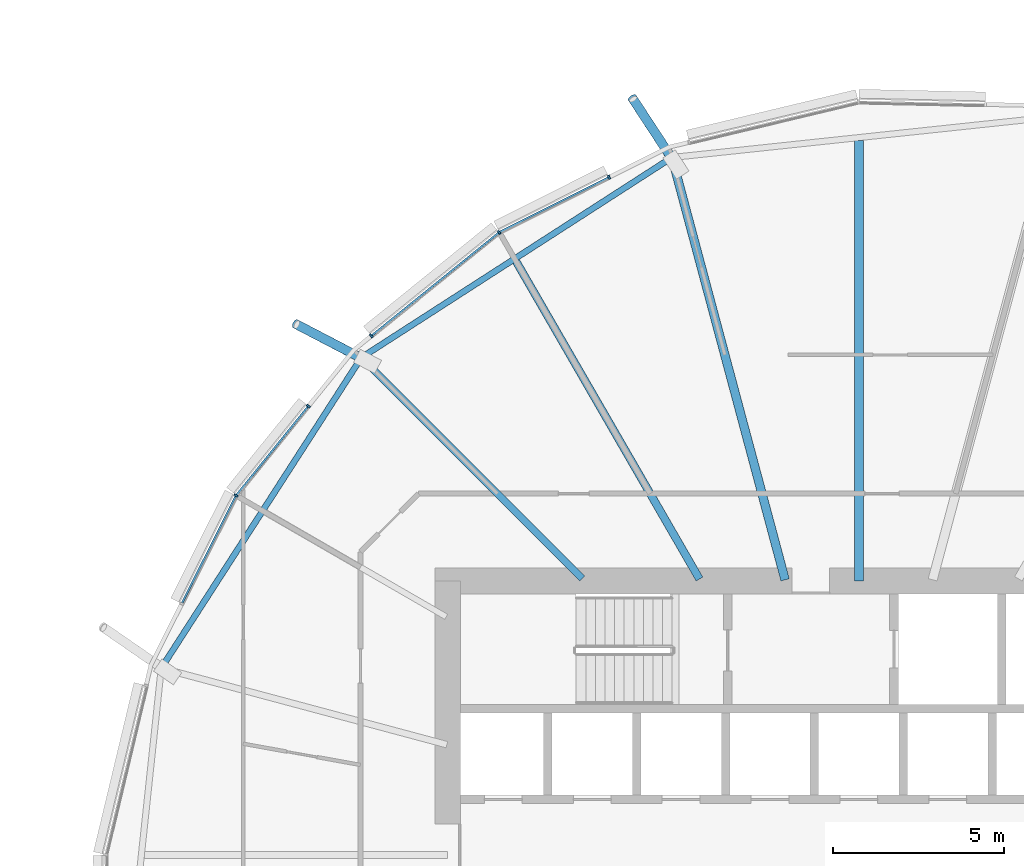
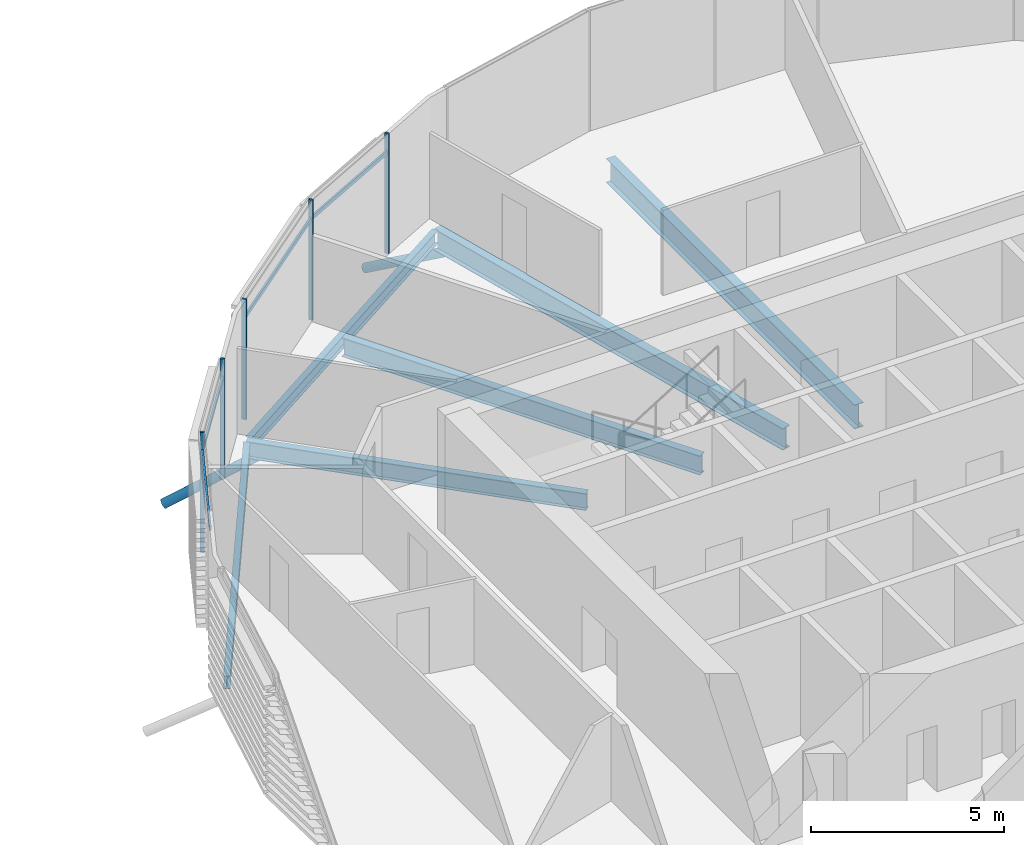
# One storey, part 17 of 38: 11 members, 6 beams, 1 element without a shape of its own.
"""IFC4 building model written with IfcOpenShell, lengths in metres."""

from ifc_helpers import new_model, si_unit, direction, frame, origin, origin_2d, place, context, subcontext, project, spatial, rectangle, hollow_circle, i_section, extrude, clip, halfspace, material, material_profile, profile_set, type_object, element, aggregate, save


model = new_model("IFC4")

# Units and contexts
model_context = context("Model", 3, precision=1e-05, world=origin(), true_north=direction((0.0, 1.0)))
body_context = subcontext(model_context, "Body", "Model", "MODEL_VIEW")
ifc_project = project(units=[si_unit("LENGTHUNIT", "METRE"), si_unit("AREAUNIT", "SQUARE_METRE"), si_unit("VOLUMEUNIT", "CUBIC_METRE"), si_unit("PLANEANGLEUNIT", "RADIAN"), si_unit("MASSUNIT", "GRAM", prefix="KILO")], contexts=[model_context])

# Site, building, storey
site_placement = place(None, origin())
site = spatial("IfcSite", under=ifc_project, at=site_placement, CompositionType="ELEMENT")
building_placement = place(site_placement, origin())
building = spatial("IfcBuilding", under=site, at=building_placement, Name="Rimbun Link Towers", CompositionType="ELEMENT")
storey_placement = place(building_placement, frame((0.0, 0.0, 108.199951171875)))
storey = spatial("IfcBuildingStorey", under=building, at=storey_placement, Name="L26", CompositionType="ELEMENT", Elevation=108.199951171875)

# Curtain wall, members
ifc_material_1 = material(Name="Aluminium 6063-T6 and low-iron glass", Category="aluminium")
curtain_wall_type = type_object("IfcCurtainWallType", Name="CW1-Z2 unitised vision wall (zone 2)", PredefinedType="NOTDEFINED", material=ifc_material_1)
curtain_wall_placement = place(storey_placement, origin())
curtain_wall = element("IfcCurtainWall", 1, at=curtain_wall_placement, inside=storey, type_object=curtain_wall_type, Name="CW1 L26 T2", PredefinedType="NOTDEFINED")
ifc_material_2 = material(Name="Aluminium 6063-T6", Category="aluminium")
ifc_material_profile_1 = material_profile(ifc_material_2, rectangle(XDim=0.1201171875, YDim=0.06005859375, at=origin_2d()), Name="MULLION 60X120")
ifc_profile_set_1 = profile_set([ifc_material_profile_1], Name="Aluminium 6063-T6")
member_type_1 = type_object("IfcMemberType", Name="CW1 mullion 60X120", PredefinedType="MULLION", material=ifc_profile_set_1)
member_1_placement = place(storey_placement, frame((21.251953125, 18.177001953125, 0.0), z_axis=(0.0, 0.0, 1.0), x_axis=(-0.542101055095, 0.840313302325, 0.0)))
member_1 = element("IfcMember", 2, at=member_1_placement, type_object=member_type_1, Name="CW1 mullion", PredefinedType="MULLION", context=body_context, shape_type="SweptSolid", body=[
    extrude(rectangle(XDim=0.1201171875, YDim=0.06005859375, at=origin_2d()), origin(), (0.0, 0.0, 1.0), 3.800048828125),
])
member_2_placement = place(storey_placement, frame((24.458251953125, 19.78759765625, 0.0), z_axis=(0.0, 0.0, 1.0), x_axis=(-0.448789312905, 0.893637595797, 0.0)))
member_2 = element("IfcMember", 3, at=member_2_placement, type_object=member_type_1, Name="CW1 mullion", PredefinedType="MULLION", context=body_context, shape_type="SweptSolid", body=[
    extrude(rectangle(XDim=0.1201171875, YDim=0.06005859375, at=origin_2d()), origin(), (0.0, 0.0, 1.0), 3.800048828125),
])
member_3_placement = place(storey_placement, frame((17.51806640625, 15.155029296875, 0.0), z_axis=(0.0, 0.0, 1.0), x_axis=(-0.629151225693, 0.777282918383, 0.0)))
member_3 = element("IfcMember", 4, at=member_3_placement, type_object=member_type_1, Name="CW1 mullion", PredefinedType="MULLION", context=body_context, shape_type="SweptSolid", body=[
    extrude(rectangle(XDim=0.1201171875, YDim=0.06005859375, at=origin_2d()), origin(), (0.0, 0.0, 1.0), 3.800048828125),
])
member_4_placement = place(storey_placement, frame((13.572998046875, 10.498046875, 0.0), z_axis=(0.0, 0.0, 1.0), x_axis=(-0.840313302325, 0.542101055095, 0.0)))
member_4 = element("IfcMember", 5, at=member_4_placement, type_object=member_type_1, Name="CW1 mullion", PredefinedType="MULLION", context=body_context, shape_type="SweptSolid", body=[
    extrude(rectangle(XDim=0.1201171875, YDim=0.06005859375, at=origin_2d()), origin(), (0.0, 0.0, 1.0), 3.800048828125),
])
member_5_placement = place(storey_placement, frame((15.682861328125, 13.104736328125, 0.0), z_axis=(0.0, 0.0, 1.0), x_axis=(-0.777282918383, 0.629151225693, 0.0)))
member_5 = element("IfcMember", 6, at=member_5_placement, type_object=member_type_1, Name="CW1 mullion", PredefinedType="MULLION", context=body_context, shape_type="SweptSolid", body=[
    extrude(rectangle(XDim=0.1201171875, YDim=0.06005859375, at=origin_2d()), origin(), (0.0, 0.0, 1.0), 3.800048828125),
])
ifc_material_3 = material(Name="Aluminium 6063-T6", Category="aluminium")
ifc_material_profile_2 = material_profile(ifc_material_3, rectangle(XDim=0.06005859375, YDim=0.1201171875, at=origin_2d()), Name="TRANSOM 60X120")
ifc_profile_set_2 = profile_set([ifc_material_profile_2], Name="Aluminium 6063-T6")
member_type_2 = type_object("IfcMemberType", Name="CW1 transom 60X120", PredefinedType="USERDEFINED", material=ifc_profile_set_2)
member_6_placement = place(storey_placement, frame((21.285400390625, 18.19189453125, 3.199951171875), z_axis=(0.893649359274, 0.448765888486, 0.0), x_axis=(-0.448765888486, 0.893649359274, 0.0)))
member_6 = element("IfcMember", 7, at=member_6_placement, type_object=member_type_2, Name="CW1 transom", ObjectType="TRANSOM", PredefinedType="USERDEFINED", context=body_context, shape_type="SweptSolid", body=[
    extrude(rectangle(XDim=0.06005859375, YDim=0.1201171875, at=origin_2d()), origin(), (0.0, 0.0, 1.0), 3.521484375),
])
member_7_placement = place(storey_placement, frame((17.542724609375, 15.17236328125, 3.199951171875), z_axis=(0.777301277358, 0.629128543477, 0.0), x_axis=(-0.629128543477, 0.777301277358, 0.0)))
member_7 = element("IfcMember", 8, at=member_7_placement, type_object=member_type_2, Name="CW1 transom", ObjectType="TRANSOM", PredefinedType="USERDEFINED", context=body_context, shape_type="SweptSolid", body=[
    extrude(rectangle(XDim=0.06005859375, YDim=0.1201171875, at=origin_2d()), origin(), (0.0, 0.0, 1.0), 4.737060546875),
])
member_8_placement = place(storey_placement, frame((13.597412109375, 10.525146484375, 3.199951171875), z_axis=(0.629131994788, 0.777298483939, 0.0), x_axis=(-0.777298483939, 0.629131994788, 0.0)))
member_8 = element("IfcMember", 9, at=member_8_placement, type_object=member_type_2, Name="CW1 transom", ObjectType="TRANSOM", PredefinedType="USERDEFINED", context=body_context, shape_type="SweptSolid", body=[
    extrude(rectangle(XDim=0.06005859375, YDim=0.1201171875, at=origin_2d()), origin(), (0.0, 0.0, 1.0), 3.287353515625),
])
member_9_placement = place(storey_placement, frame((12.000244140625, 7.3623046875, 3.199951171875), z_axis=(0.448760132623, 0.893652249686, 0.0), x_axis=(-0.893652249686, 0.448760132623, 0.0)))
member_9 = element("IfcMember", 10, at=member_9_placement, type_object=member_type_2, Name="CW1 transom", ObjectType="TRANSOM", PredefinedType="USERDEFINED", context=body_context, shape_type="SweptSolid", body=[
    extrude(rectangle(XDim=0.06005859375, YDim=0.1201171875, at=origin_2d()), origin(), (0.0, 0.0, 1.0), 3.471435546875),
])
aggregate(curtain_wall, [member_1, member_2, member_3, member_4, member_5, member_6, member_7, member_8, member_9])

# Members
ifc_material_4 = material(Name="Steel S355J2H", Category="steel")
ifc_material_profile_3 = material_profile(ifc_material_4, hollow_circle(Radius=0.136474609375, WallThickness=0.012451171875, at=origin_2d()), Name="CHS 273x12.5")
ifc_profile_set_3 = profile_set([ifc_material_profile_3], Name="Steel S355J2H")
member_type_3 = type_object("IfcMemberType", Name="Floor edge link CHS 273x12.5", PredefinedType="BRACE", material=ifc_profile_set_3)
member_10_placement = place(storey_placement, frame((26.306884765625, 20.314208984375, -0.96337890625), z_axis=(-0.483120982973, 0.737389897072, -0.472070180701), x_axis=(-0.836459328226, -0.548029006736, 0.0)))
element("IfcMember", 11, at=member_10_placement, inside=storey, type_object=member_type_3, Name="Floor edge link T2 L26 04", PredefinedType="BRACE", context=body_context, shape_type="Clipping", body=[
    clip(extrude(hollow_circle(Radius=0.136474609375, WallThickness=0.012451171875, at=origin_2d()), frame((0.0, 0.0, -0.531005859375)), (0.0, 0.0, 1.0), 2.961181640625), halfspace(frame((0.0, 0.0, -0.249755859375), z_axis=(0.0, 0.881560970378, -0.472070180701)), False)),
])
member_11_placement = place(storey_placement, frame((17.263671875, 14.486328125, -0.81005859375), z_axis=(-0.7630860095, 0.397772819131, -0.509388384699), x_axis=(-0.462238045881, -0.886755878999, 0.0)))
element("IfcMember", 12, at=member_11_placement, inside=storey, type_object=member_type_3, Name="Floor edge link T2 L26 06", PredefinedType="BRACE", context=body_context, shape_type="Clipping", body=[
    clip(extrude(hollow_circle(Radius=0.136474609375, WallThickness=0.012451171875, at=origin_2d()), frame((0.0, 0.0, -0.48095703125)), (0.0, 0.0, 1.0), 3.05322265625), halfspace(frame((0.0, 0.0, -0.225830078125), z_axis=(0.0, 0.860536735726, -0.509388384699)), False)),
])

# Beams
ifc_material_5 = material(Name="Steel S355J2", Category="steel")
ifc_material_profile_4 = material_profile(ifc_material_5, i_section(OverallWidth=0.177978515625, OverallDepth=0.406494140625, WebThickness=0.0078125, FlangeThickness=0.0126953125, at=origin_2d()), Name="UB 406x178x60")
ifc_profile_set_4 = profile_set([ifc_material_profile_4], Name="Steel S355J2")
beam_type_1 = type_object("IfcBeamType", Name="UB 406x178x60", PredefinedType="BEAM", material=ifc_profile_set_4)
beam_1_placement = place(storey_placement, frame((26.18115234375, 20.289794921875, -0.363037109375), z_axis=(-0.840631019064, -0.541608243832, 0.0), x_axis=(0.541608243832, -0.840631019064, 0.0)))
element("IfcBeam", 13, at=beam_1_placement, inside=storey, type_object=beam_type_1, Name="Edge beam T2 L26 04-06", PredefinedType="BEAM", context=body_context, shape_type="SweptSolid", body=[
    extrude(i_section(OverallWidth=0.177978515625, OverallDepth=0.406494140625, WebThickness=0.0078125, FlangeThickness=0.0126953125, at=origin_2d()), origin(), (0.0, 0.0, 1.0), 10.542236328125),
])
beam_2_placement = place(storey_placement, frame((17.169921875, 14.430908203125, -0.363037109375), z_axis=(-0.541606725236, -0.840631997475, 0.0), x_axis=(0.840631997475, -0.541606725236, 0.0)))
element("IfcBeam", 14, at=beam_2_placement, inside=storey, type_object=beam_type_1, Name="Edge beam T2 L26 06-08", PredefinedType="BEAM", context=body_context, shape_type="SweptSolid", body=[
    extrude(i_section(OverallWidth=0.177978515625, OverallDepth=0.406494140625, WebThickness=0.0078125, FlangeThickness=0.0126953125, at=origin_2d()), origin(), (0.0, 0.0, 1.0), 10.575439453125),
])
ifc_material_6 = material(Name="Steel S355J2", Category="steel")
ifc_material_profile_5 = material_profile(ifc_material_6, i_section(OverallWidth=0.209228515625, OverallDepth=0.533203125, WebThickness=0.010009765625, FlangeThickness=0.015625, at=origin_2d()), Name="UB 533x210x92")
ifc_profile_set_5 = profile_set([ifc_material_profile_5], Name="Steel S355J2")
beam_type_2 = type_object("IfcBeamType", Name="UB 533x210x92", PredefinedType="BEAM", material=ifc_profile_set_5)
beam_3_placement = place(storey_placement, frame((23.67529296875, 8.07470703125, -0.426513671875), z_axis=(-0.707106781187, 0.707106781187, 0.0), x_axis=(-0.707106781187, -0.707106781187, 0.0)))
element("IfcBeam", 15, at=beam_3_placement, inside=storey, type_object=beam_type_2, Name="Radial beam T2 L26 06", PredefinedType="BEAM", context=body_context, shape_type="SweptSolid", body=[
    extrude(i_section(OverallWidth=0.209228515625, OverallDepth=0.533203125, WebThickness=0.010009765625, FlangeThickness=0.015625, at=origin_2d()), origin(), (0.0, 0.0, 1.0), 9.1171875),
])
ifc_material_7 = material(Name="Steel S355J2", Category="steel")
ifc_material_profile_6 = material_profile(ifc_material_7, i_section(OverallWidth=0.2275390625, OverallDepth=0.6025390625, WebThickness=0.010498046875, FlangeThickness=0.014892578125, at=origin_2d()), Name="UB 610x229x101")
ifc_profile_set_6 = profile_set([ifc_material_profile_6], Name="Steel S355J2")
beam_type_3 = type_object("IfcBeamType", Name="UB 610x229x101", PredefinedType="BEAM", material=ifc_profile_set_6)
beam_4_placement = place(storey_placement, frame((27.097900390625, 8.057861328125, -0.461181640625), z_axis=(-0.500010763282, 0.866019189511, 0.0), x_axis=(-0.866019189511, -0.500010763282, 0.0)))
element("IfcBeam", 16, at=beam_4_placement, inside=storey, type_object=beam_type_3, Name="Radial beam T2 L26 05", PredefinedType="BEAM", context=body_context, shape_type="SweptSolid", body=[
    extrude(i_section(OverallWidth=0.2275390625, OverallDepth=0.6025390625, WebThickness=0.010498046875, FlangeThickness=0.014892578125, at=origin_2d()), origin(), (0.0, 0.0, 1.0), 10.701904296875),
])
ifc_material_8 = material(Name="Steel S355J2", Category="steel")
ifc_material_profile_7 = material_profile(ifc_material_8, i_section(OverallWidth=0.253662109375, OverallDepth=0.68359375, WebThickness=0.012451171875, FlangeThickness=0.01904296875, at=origin_2d()), Name="UB 686x254x140")
ifc_profile_set_7 = profile_set([ifc_material_profile_7], Name="Steel S355J2")
beam_type_4 = type_object("IfcBeamType", Name="UB 686x254x140", PredefinedType="BEAM", material=ifc_profile_set_7)
beam_5_placement = place(storey_placement, frame((29.597412109375, 8.03369140625, -0.501708984375), z_axis=(-0.258820859761, 0.965925340051, 0.0), x_axis=(-0.965925340051, -0.258820859761, 0.0)))
element("IfcBeam", 17, at=beam_5_placement, inside=storey, type_object=beam_type_4, Name="Radial beam T2 L26 04", PredefinedType="BEAM", context=body_context, shape_type="SweptSolid", body=[
    extrude(i_section(OverallWidth=0.253662109375, OverallDepth=0.68359375, WebThickness=0.012451171875, FlangeThickness=0.01904296875, at=origin_2d()), origin(), (0.0, 0.0, 1.0), 12.763427734375),
])
ifc_material_9 = material(Name="Steel S355J2", Category="steel")
ifc_material_profile_8 = material_profile(ifc_material_9, i_section(OverallWidth=0.2666015625, OverallDepth=0.76220703125, WebThickness=0.014404296875, FlangeThickness=0.021484375, at=origin_2d()), Name="UB 762x267x173")
ifc_profile_set_8 = profile_set([ifc_material_profile_8], Name="Steel S355J2")
beam_type_5 = type_object("IfcBeamType", Name="UB 762x267x173", PredefinedType="BEAM", material=ifc_profile_set_8)
beam_6_placement = place(storey_placement, frame((31.75, 8.0009765625, -0.541015625), z_axis=(0.0, 1.0, 0.0), x_axis=(-1.0, 0.0, 0.0)))
element("IfcBeam", 18, at=beam_6_placement, inside=storey, type_object=beam_type_5, Name="Radial beam T2 L26 03", PredefinedType="BEAM", context=body_context, shape_type="SweptSolid", body=[
    extrude(i_section(OverallWidth=0.2666015625, OverallDepth=0.76220703125, WebThickness=0.014404296875, FlangeThickness=0.021484375, at=origin_2d()), origin(), (0.0, 0.0, 1.0), 12.8515625),
])

save(model, "model.ifc")
